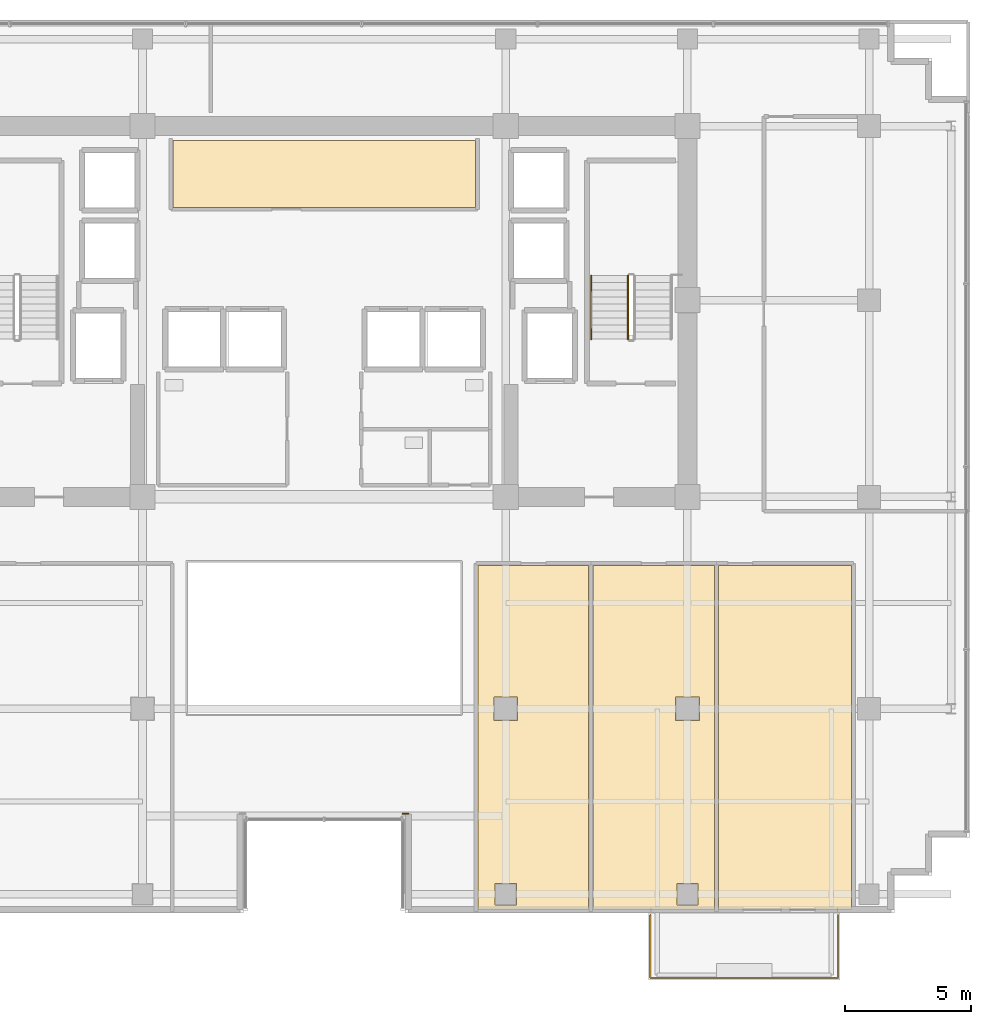
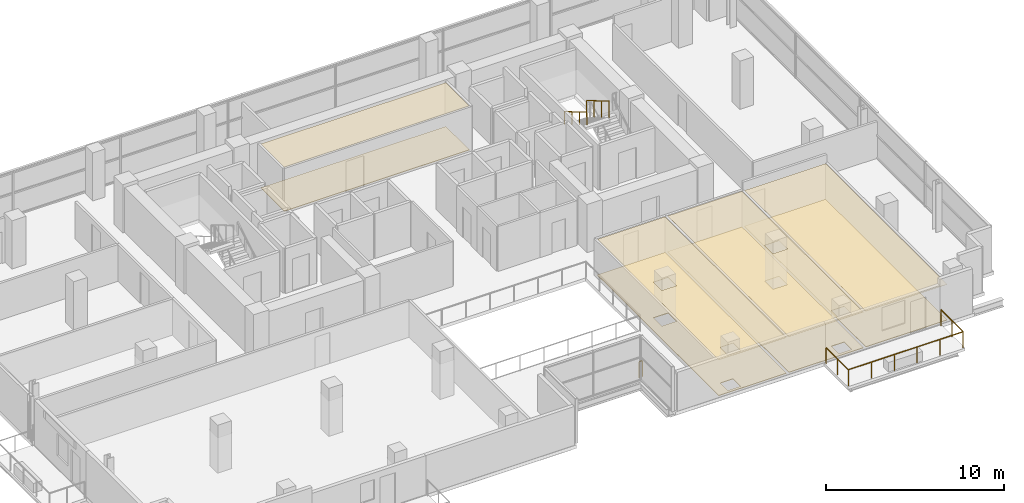
# One storey, part 26 of 28: 8 coverings, 4 railings.
"""IFC4 building model written with IfcOpenShell, lengths in metres."""

import ifcopenshell
import ifcopenshell.guid

model = None  # the IFC model being written
_history = None  # IfcOwnerHistory: only IFC2X3 demands one
_inside = {}  # id of a spatial element -> (the spatial element, [elements in it])
_under = {}  # id of a project, library or spatial element -> (it, [spatial elements below it])
_declared = {}  # id of a project -> (the project, [libraries it declares])
_typed = {}  # id of a type object -> (the type object, [elements of that type])
_made_of = {}  # id of a material, layer set ... -> (it, [elements and type objects made of it])


def new_model(schema):
    """Start an empty IFC model of exactly this schema.

    Asked for "IFC4X3", IfcOpenShell would pick the latest addendum, in which some entities
    have other attributes; the version numbers below select the first issue.
    IFC2X3 requires an IfcOwnerHistory on every rooted entity: one is made here for all.
    """
    global model, _history
    if schema == "IFC4X3":
        model = ifcopenshell.file(schema_version=(4, 3, 0, 0))
    else:
        model = ifcopenshell.file(schema=schema)
    _inside.clear()
    _under.clear()
    _declared.clear()
    _typed.clear()
    _made_of.clear()
    _history = None
    if model.schema == "IFC2X3":
        org = make("IfcOrganization", Name="unknown")
        user = make(
            "IfcPersonAndOrganization",
            ThePerson=make("IfcPerson", FamilyName="unknown"),
            TheOrganization=org,
        )
        app = make(
            "IfcApplication",
            ApplicationDeveloper=org,
            Version="unknown",
            ApplicationFullName="unknown",
            ApplicationIdentifier="unknown",
        )
        _history = make(
            "IfcOwnerHistory",
            OwningUser=user,
            OwningApplication=app,
            ChangeAction="ADDED",
            CreationDate=0,
        )
    return model


def make(cls, **values):
    """One entity of the class cls with the attributes given. An attribute that is None is left unset."""
    return model.create_entity(
        cls, **{name: value for name, value in values.items() if value is not None}
    )


def rooted(cls, **values):
    """An entity with a GlobalId (a new one), such as an element, a storey or a relation."""
    return make(cls, GlobalId=ifcopenshell.guid.new(), OwnerHistory=_history, **values)


def si_unit(unit_type, name, prefix=None):
    """IfcSIUnit, for example si_unit("LENGTHUNIT", "METRE", prefix="MILLI")."""
    return make("IfcSIUnit", UnitType=unit_type, Prefix=prefix, Name=name)


def assignment(units):
    """IfcUnitAssignment: the units of a project."""
    return None if units is None else make("IfcUnitAssignment", Units=units)


def point(xyz):
    """IfcCartesianPoint."""
    return None if xyz is None else make("IfcCartesianPoint", Coordinates=xyz)


def direction(xyz):
    """IfcDirection."""
    return None if xyz is None else make("IfcDirection", DirectionRatios=xyz)


def frame(location, z_axis=None, x_axis=None):
    """IfcAxis2Placement3D, a coordinate frame: its origin and axes. An axis left out is left unset."""
    return make(
        "IfcAxis2Placement3D",
        Location=point(location),
        Axis=direction(z_axis),
        RefDirection=direction(x_axis),
    )


def frame_2d(location, x_axis=None):
    """IfcAxis2Placement2D, a coordinate frame in the plane: its origin and x axis."""
    return make(
        "IfcAxis2Placement2D", Location=point(location), RefDirection=direction(x_axis)
    )


def origin():
    """The frame at (0, 0, 0) with its axes left unset."""
    return frame((0.0, 0.0, 0.0))


def origin_2d():
    """The frame at (0, 0) in the plane with its x axis left unset."""
    return frame_2d((0.0, 0.0))


def place(relative_to, where):
    """IfcLocalPlacement: puts the frame where relative to a parent placement (None: the world)."""
    return make(
        "IfcLocalPlacement", PlacementRelTo=relative_to, RelativePlacement=where
    )


def context(
    kind, dimensions, precision=None, world=None, true_north=None, identifier=None
):
    """IfcGeometricRepresentationContext, for example the 3D "Model" context."""
    return make(
        "IfcGeometricRepresentationContext",
        ContextIdentifier=identifier,
        ContextType=kind,
        CoordinateSpaceDimension=dimensions,
        Precision=precision,
        WorldCoordinateSystem=world,
        TrueNorth=true_north,
    )


def subcontext(parent, identifier, kind, view, scale=None):
    """IfcGeometricRepresentationSubContext, for example "Body" below "Model"."""
    return make(
        "IfcGeometricRepresentationSubContext",
        ContextIdentifier=identifier,
        ContextType=kind,
        ParentContext=parent,
        TargetScale=scale,
        TargetView=view,
    )


def project(units=None, contexts=None):
    """IfcProject with its units and contexts."""
    return rooted(
        "IfcProject",
        Name="project",
        RepresentationContexts=contexts,
        UnitsInContext=assignment(units),
    )


def spatial(cls, under=None, at=None, **own):
    """A site, building, storey or space (cls), placed at a placement, below another one or the project."""
    s = rooted(cls, ObjectPlacement=at, **own)
    if under is not None:
        _under.setdefault(under.id(), (under, []))[1].append(s)
    return s


def polyline(points):
    """IfcPolyline through the points."""
    return make("IfcPolyline", Points=[point(p) for p in points])


def profile(cls, at=None, kind="AREA", **sizes):
    """A parametric profile (cls). Its sizes go by their IFC names, for example OverallWidth=200.0."""
    return make(cls, ProfileType=kind, Position=at, **sizes)


def rectangle(**sizes):
    """IfcRectangleProfileDef."""
    return profile("IfcRectangleProfileDef", **sizes)


def outline(outer, holes=None, kind="AREA"):
    """IfcArbitraryClosedProfileDef: a profile drawn as a closed curve; with holes, ...WithVoids."""
    if holes is None:
        return make("IfcArbitraryClosedProfileDef", ProfileType=kind, OuterCurve=outer)
    return make(
        "IfcArbitraryProfileDefWithVoids",
        ProfileType=kind,
        OuterCurve=outer,
        InnerCurves=holes,
    )


def extrude(swept, where, along, depth):
    """IfcExtrudedAreaSolid: the profile swept, set in the frame where, extruded along a direction by depth."""
    return make(
        "IfcExtrudedAreaSolid",
        SweptArea=swept,
        Position=where,
        ExtrudedDirection=direction(along),
        Depth=depth,
    )


def shape(context_of_items, identifier, shape_type, items):
    """IfcShapeRepresentation: the items that make up one representation, for example the "Body"."""
    return make(
        "IfcShapeRepresentation",
        ContextOfItems=context_of_items,
        RepresentationIdentifier=identifier,
        RepresentationType=shape_type,
        Items=items,
    )


def material(Name=None, Category=None):
    """IfcMaterial."""
    return make("IfcMaterial", Name=Name, Category=Category)


def layer(
    of_material, thickness, ventilated=None, Name=None, Category=None, Priority=None
):
    """IfcMaterialLayer: one layer of a wall or slab, of a material (None: an air gap)."""
    return make(
        "IfcMaterialLayer",
        Material=of_material,
        LayerThickness=thickness,
        IsVentilated=ventilated,
        Name=Name,
        Category=Category,
        Priority=Priority,
    )


def layer_set(layers, Name=None):
    """IfcMaterialLayerSet."""
    return make("IfcMaterialLayerSet", MaterialLayers=layers, LayerSetName=Name)


def made_of(thing, what):
    """Note that an element or type object is made of a material, layer set ...; save() writes the relation."""
    if what is not None:
        _made_of.setdefault(what.id(), (what, []))[1].append(thing)
    return thing


def type_object(cls, material=None, **own):
    """A type object (cls), such as IfcWallType, which elements share."""
    return made_of(rooted(cls, **own), material)


def element(
    cls,
    number,
    at=None,
    inside=None,
    cuts=None,
    type_object=None,
    material=None,
    context=None,
    identifier="Body",
    shape_type=None,
    held_by="IfcProductDefinitionShape",
    body=None,
    shapes=None,
    **own,
):
    """One element of the class cls, such as IfcWall. Its Tag is "e" and its number.

    at: its placement. inside: the storey or other place that contains it. cuts: it is an
    opening in that element (IfcRelVoidsElement). A single representation is given by context,
    identifier, shape_type and body (its items); several are given by shapes. held_by: the class
    of the entity that holds the representations. save() writes the other relations.
    """
    e = rooted(cls, Tag="e%d" % number, ObjectPlacement=at, **own)
    if body is not None:
        shapes = [shape(context, identifier, shape_type, body)]
    if shapes is not None:
        e.Representation = make(held_by, Representations=shapes)
    if inside is not None:
        _inside.setdefault(inside.id(), (inside, []))[1].append(e)
    if cuts is not None:
        rooted(
            "IfcRelVoidsElement", RelatingBuildingElement=cuts, RelatedOpeningElement=e
        )
    if type_object is not None:
        _typed.setdefault(type_object.id(), (type_object, []))[1].append(e)
    return made_of(e, material)


def aggregate(whole, parts):
    """IfcRelAggregates: a whole, such as a stair, and the parts it consists of."""
    return rooted("IfcRelAggregates", RelatingObject=whole, RelatedObjects=parts)


def save(model, path):
    """Write the relations noted so far, then the file.

    IfcRelAggregates (storeys below a building ...), IfcRelContainedInSpatialStructure (elements
    in a storey), IfcRelDefinesByType, IfcRelAssociatesMaterial and IfcRelDeclares: one each for
    every whole, place, type object, material and project.
    """
    for whole, parts in _under.values():
        aggregate(whole, parts)
    for where, things in _inside.values():
        rooted(
            "IfcRelContainedInSpatialStructure",
            RelatedElements=things,
            RelatingStructure=where,
        )
    for kind, things in _typed.values():
        rooted("IfcRelDefinesByType", RelatedObjects=things, RelatingType=kind)
    for what, things in _made_of.values():
        rooted("IfcRelAssociatesMaterial", RelatedObjects=things, RelatingMaterial=what)
    for by, libraries in _declared.values():
        rooted("IfcRelDeclares", RelatingContext=by, RelatedDefinitions=libraries)
    model.write(path)


model = new_model("IFC4")

# Units and contexts
model_context = context("Model", 3, precision=1e-05, world=origin(), true_north=direction((0.0, 1.0)))
body_context = subcontext(model_context, "Body", "Model", "MODEL_VIEW")
ifc_project = project(units=[si_unit("LENGTHUNIT", "METRE"), si_unit("AREAUNIT", "SQUARE_METRE"), si_unit("VOLUMEUNIT", "CUBIC_METRE"), si_unit("PLANEANGLEUNIT", "RADIAN"), si_unit("MASSUNIT", "GRAM", prefix="KILO")], contexts=[model_context])

# Site, building, storey
site_placement = place(None, origin())
site = spatial("IfcSite", under=ifc_project, at=site_placement, CompositionType="ELEMENT")
building_placement = place(site_placement, origin())
building = spatial("IfcBuilding", under=site, at=building_placement, Name="Zarnakvel Exchange Tower", CompositionType="ELEMENT")
storey_placement = place(building_placement, frame((0.0, 0.0, 103.300048828125)))
storey = spatial("IfcBuildingStorey", under=building, at=storey_placement, Name="L28", CompositionType="ELEMENT", Elevation=103.300048828125)

# Coverings
ifc_material_1 = material(Name="Perforated Bronze Acoustic Metal Ceiling", Category="aluminium")
ifc_layer_1 = layer(ifc_material_1, 0.02001953125)
ifc_layer_set_1 = layer_set([ifc_layer_1], Name="Perforated Bronze Acoustic Metal Ceiling")
covering_type_1 = type_object("IfcCoveringType", Name="CLG-01", PredefinedType="CEILING", material=ifc_layer_set_1)
covering_1_placement = place(storey_placement, frame((0.0, 0.0, 3.014892578125)))
element("IfcCovering", 1, at=covering_1_placement, inside=storey, type_object=covering_type_1, Name="L28 Suspended Acoustic Ceiling (Market Data Archive Suite)", PredefinedType="CEILING", context=body_context, shape_type="SweptSolid", body=[
    extrude(outline(polyline([(-6.0, 12.919921875), (6.0, 12.919921875), (6.0, 10.280029296875), (-6.0, 10.280029296875), (-6.0, 12.919921875)])), origin(), (0.0, 0.0, 1.0), 0.02001953125),
])
covering_2_placement = place(storey_placement, frame((0.0, 0.0, 2.454833984375)))
element("IfcCovering", 2, at=covering_2_placement, inside=storey, type_object=covering_type_1, Name="L28 Suspended Acoustic Ceiling (Conference Room)", PredefinedType="CEILING", context=body_context, shape_type="SweptSolid", body=[
    extrude(outline(polyline([(6.10009765625, -3.909912109375), (10.48828125, -3.909912109375), (10.48828125, -17.550048828125), (6.10009765625, -17.550048828125), (6.10009765625, -3.909912109375)]), holes=[polyline([(6.72998046875, -10.070068359375), (7.669921875, -10.070068359375), (7.669921875, -9.1298828125), (6.72998046875, -9.1298828125), (6.72998046875, -10.070068359375)]), polyline([(7.6201171875, -17.3701171875), (7.6201171875, -16.530029296875), (6.780029296875, -16.530029296875), (6.780029296875, -17.3701171875), (7.6201171875, -17.3701171875)])]), origin(), (0.0, 0.0, 1.0), 0.02001953125),
])
covering_3_placement = place(storey_placement, frame((0.0, 0.0, 2.454833984375)))
element("IfcCovering", 3, at=covering_3_placement, inside=storey, type_object=covering_type_1, Name="L28 Suspended Acoustic Ceiling (Executive Suite)", PredefinedType="CEILING", context=body_context, shape_type="SweptSolid", body=[
    extrude(outline(polyline([(10.6484375, -3.909912109375), (15.4755859375, -3.909912109375), (15.4755859375, -17.550048828125), (10.6484375, -17.550048828125), (10.6484375, -3.909912109375)]), holes=[polyline([(13.929931640625, -10.070068359375), (14.8701171875, -10.070068359375), (14.8701171875, -9.1298828125), (13.929931640625, -9.1298828125), (13.929931640625, -10.070068359375)]), polyline([(14.820068359375, -17.3701171875), (14.820068359375, -16.530029296875), (13.97998046875, -16.530029296875), (13.97998046875, -17.3701171875), (14.820068359375, -17.3701171875)])]), origin(), (0.0, 0.0, 1.0), 0.02001953125),
])
covering_4_placement = place(storey_placement, frame((0.0, 0.0, 2.454833984375)))
element("IfcCovering", 4, at=covering_4_placement, inside=storey, type_object=covering_type_1, Name="L28 Suspended Acoustic Ceiling (Staff Pantry)", PredefinedType="CEILING", context=body_context, shape_type="SweptSolid", body=[
    extrude(outline(polyline([(15.635498046875, -3.909912109375), (20.901611328125, -3.909912109375), (20.901611328125, -17.550048828125), (15.635498046875, -17.550048828125), (15.635498046875, -3.909912109375)])), origin(), (0.0, 0.0, 1.0), 0.02001953125),
])
ifc_material_2 = material(Name="Heavy-Duty Raised Access Floor Panel", Category="steel")
ifc_layer_2 = layer(ifc_material_2, 0.034912109375)
ifc_layer_set_2 = layer_set([ifc_layer_2], Name="Heavy-Duty Raised Access Floor Panel")
covering_type_2 = type_object("IfcCoveringType", Name="FLR-02", PredefinedType="FLOORING", material=ifc_layer_set_2)
covering_5_placement = place(storey_placement, origin())
element("IfcCovering", 5, at=covering_5_placement, inside=storey, type_object=covering_type_2, Name="L28 Floor Finish (Market Data Archive Suite)", PredefinedType="FLOORING", context=body_context, shape_type="SweptSolid", body=[
    extrude(outline(polyline([(-6.0, 12.919921875), (6.0, 12.919921875), (6.0, 10.280029296875), (-6.0, 10.280029296875), (-6.0, 12.919921875)])), origin(), (0.0, 0.0, 1.0), 0.034912109375),
])
covering_6_placement = place(storey_placement, origin())
element("IfcCovering", 6, at=covering_6_placement, inside=storey, type_object=covering_type_2, Name="L28 Floor Finish (Conference Room)", PredefinedType="FLOORING", context=body_context, shape_type="SweptSolid", body=[
    extrude(outline(polyline([(6.10009765625, -3.909912109375), (10.48828125, -3.909912109375), (10.48828125, -17.550048828125), (6.10009765625, -17.550048828125), (6.10009765625, -3.909912109375)]), holes=[polyline([(6.72998046875, -10.070068359375), (7.669921875, -10.070068359375), (7.669921875, -9.1298828125), (6.72998046875, -9.1298828125), (6.72998046875, -10.070068359375)]), polyline([(7.6201171875, -17.3701171875), (7.6201171875, -16.530029296875), (6.780029296875, -16.530029296875), (6.780029296875, -17.3701171875), (7.6201171875, -17.3701171875)])]), origin(), (0.0, 0.0, 1.0), 0.034912109375),
])
covering_7_placement = place(storey_placement, origin())
element("IfcCovering", 7, at=covering_7_placement, inside=storey, type_object=covering_type_2, Name="L28 Floor Finish (Executive Suite)", PredefinedType="FLOORING", context=body_context, shape_type="SweptSolid", body=[
    extrude(outline(polyline([(10.6484375, -3.909912109375), (15.4755859375, -3.909912109375), (15.4755859375, -17.550048828125), (10.6484375, -17.550048828125), (10.6484375, -3.909912109375)]), holes=[polyline([(13.929931640625, -10.070068359375), (14.8701171875, -10.070068359375), (14.8701171875, -9.1298828125), (13.929931640625, -9.1298828125), (13.929931640625, -10.070068359375)]), polyline([(14.820068359375, -17.3701171875), (14.820068359375, -16.530029296875), (13.97998046875, -16.530029296875), (13.97998046875, -17.3701171875), (14.820068359375, -17.3701171875)])]), origin(), (0.0, 0.0, 1.0), 0.034912109375),
])
covering_8_placement = place(storey_placement, origin())
element("IfcCovering", 8, at=covering_8_placement, inside=storey, type_object=covering_type_2, Name="L28 Floor Finish (Staff Pantry)", PredefinedType="FLOORING", context=body_context, shape_type="SweptSolid", body=[
    extrude(outline(polyline([(15.635498046875, -3.909912109375), (20.901611328125, -3.909912109375), (20.901611328125, -17.550048828125), (15.635498046875, -17.550048828125), (15.635498046875, -3.909912109375)])), origin(), (0.0, 0.0, 1.0), 0.034912109375),
])

# Railings
ifc_material_3 = material(Name="Architectural Bronze Anodised Aluminium", Category="aluminium")
railing_type_1 = type_object("IfcRailingType", Name="GR-02", PredefinedType="GUARDRAIL", material=ifc_material_3)
railing_1_placement = place(storey_placement, frame((12.929931640625, -17.780029296875, -0.03515625)))
element("IfcRailing", 9, at=railing_1_placement, inside=storey, type_object=railing_type_1, Name="L28 Balcony Guardrail BAL-L28-SE", PredefinedType="GUARDRAIL", context=body_context, shape_type="SweptSolid", body=[
    extrude(rectangle(XDim=0.048095703125, YDim=0.048095703125, at=origin_2d()), frame((0.0, 0.0, 1.09619140625), z_axis=(0.0, -1.0, 0.0), x_axis=(1.0, 0.0, 0.0)), (0.0, 0.0, 1.0), 2.489990234375),
    extrude(rectangle(XDim=0.048095703125, YDim=0.048095703125, at=origin_2d()), frame((0.0, -2.489990234375, 1.09619140625), z_axis=(1.0, 0.0, 0.0), x_axis=(0.0, 1.0, 0.0)), (0.0, 0.0, 1.0), 7.440185546875),
    extrude(rectangle(XDim=0.048095703125, YDim=0.048095703125, at=origin_2d()), frame((7.440185546875, -2.489990234375, 1.09619140625), z_axis=(0.0, 1.0, 0.0), x_axis=(-1.0, 0.0, 0.0)), (0.0, 0.0, 1.0), 2.489990234375),
    extrude(rectangle(XDim=0.0419921875, YDim=0.0419921875, at=origin_2d()), origin(), (0.0, 0.0, 1.0), 1.072021484375),
    extrude(rectangle(XDim=0.0419921875, YDim=0.0419921875, at=origin_2d()), frame((0.0, -1.2451171875, 0.0)), (0.0, 0.0, 1.0), 1.072021484375),
    extrude(rectangle(XDim=0.0419921875, YDim=0.0419921875, at=origin_2d()), frame((0.0, -2.489990234375, 0.0)), (0.0, 0.0, 1.0), 1.072021484375),
    extrude(rectangle(XDim=0.0419921875, YDim=0.0419921875, at=origin_2d()), frame((1.488037109375, -2.489990234375, 0.0)), (0.0, 0.0, 1.0), 1.072021484375),
    extrude(rectangle(XDim=0.0419921875, YDim=0.0419921875, at=origin_2d()), frame((2.97607421875, -2.489990234375, 0.0)), (0.0, 0.0, 1.0), 1.072021484375),
    extrude(rectangle(XDim=0.0419921875, YDim=0.0419921875, at=origin_2d()), frame((4.464111328125, -2.489990234375, 0.0)), (0.0, 0.0, 1.0), 1.072021484375),
    extrude(rectangle(XDim=0.0419921875, YDim=0.0419921875, at=origin_2d()), frame((5.9521484375, -2.489990234375, 0.0)), (0.0, 0.0, 1.0), 1.072021484375),
    extrude(rectangle(XDim=0.0419921875, YDim=0.0419921875, at=origin_2d()), frame((7.440185546875, -2.489990234375, 0.0)), (0.0, 0.0, 1.0), 1.072021484375),
    extrude(rectangle(XDim=0.0419921875, YDim=0.0419921875, at=origin_2d()), frame((7.440185546875, -1.2451171875, 0.0)), (0.0, 0.0, 1.0), 1.072021484375),
    extrude(rectangle(XDim=0.0419921875, YDim=0.0419921875, at=origin_2d()), frame((7.440185546875, 0.0, 0.0)), (0.0, 0.0, 1.0), 1.072021484375),
])
railing_2_placement = place(storey_placement, frame((3.340087890625, -13.760009765625, 0.0)))
element("IfcRailing", 10, at=railing_2_placement, inside=storey, type_object=railing_type_1, Name="L28 Corner Spandrel Balustrade #18", PredefinedType="GUARDRAIL", context=body_context, shape_type="SweptSolid", body=[
    extrude(rectangle(XDim=0.048095703125, YDim=0.048095703125, at=origin_2d()), frame((0.0, 0.0, 1.09619140625), z_axis=(-1.0, 0.0, 0.0), x_axis=(0.0, -1.0, 0.0)), (0.0, 0.0, 1.0), 0.219970703125),
    extrude(rectangle(XDim=0.0419921875, YDim=0.0419921875, at=origin_2d()), origin(), (0.0, 0.0, 1.0), 1.072021484375),
    extrude(rectangle(XDim=0.0419921875, YDim=0.0419921875, at=origin_2d()), frame((-0.219970703125, 0.0, 0.0)), (0.0, 0.0, 1.0), 1.072021484375),
])
ifc_material_4 = material(Name="Brushed Stainless Steel", Category="steel")
railing_type_2 = type_object("IfcRailingType", Name="HR-01", PredefinedType="HANDRAIL", material=ifc_material_4)
railing_3_placement = place(storey_placement, frame((10.590087890625, 7.570068359375, 1.81494140625)))
element("IfcRailing", 11, at=railing_3_placement, inside=storey, type_object=railing_type_2, Name="L28 ST-02 stair handrail 2", PredefinedType="HANDRAIL", context=body_context, shape_type="SweptSolid", body=[
    extrude(rectangle(XDim=0.048095703125, YDim=0.048095703125, at=origin_2d()), frame((0.0, 0.0, 0.8759765625), z_axis=(0.0, -0.86152411907, 0.507716645641), x_axis=(1.0, 0.0, 0.0)), (0.0, 0.0, 1.0), 2.925048828125),
    extrude(rectangle(XDim=0.0419921875, YDim=0.0419921875, at=origin_2d()), origin(), (0.0, 0.0, 1.0), 0.851806640625),
    extrude(rectangle(XDim=0.0419921875, YDim=0.0419921875, at=origin_2d()), frame((0.0, -0.840087890625, 0.4951171875)), (0.0, 0.0, 1.0), 0.851806640625),
    extrude(rectangle(XDim=0.0419921875, YDim=0.0419921875, at=origin_2d()), frame((0.0, -1.679931640625, 0.989990234375)), (0.0, 0.0, 1.0), 0.851806640625),
    extrude(rectangle(XDim=0.0419921875, YDim=0.0419921875, at=origin_2d()), frame((0.0, -2.52001953125, 1.485107421875)), (0.0, 0.0, 1.0), 0.851806640625),
])
railing_type_3 = type_object("IfcRailingType", Name="SG-01", PredefinedType="GUARDRAIL", material=ifc_material_3)
railing_4_placement = place(storey_placement, frame((12.0400390625, 7.570068359375, 1.81494140625)))
element("IfcRailing", 12, at=railing_4_placement, inside=storey, type_object=railing_type_3, Name="L28 ST-02 stair guard 3", PredefinedType="GUARDRAIL", context=body_context, shape_type="SweptSolid", body=[
    extrude(rectangle(XDim=0.048095703125, YDim=0.048095703125, at=origin_2d()), frame((0.0, 0.0, 1.1259765625), z_axis=(0.0, -0.86152411907, 0.507716645641), x_axis=(1.0, 0.0, 0.0)), (0.0, 0.0, 1.0), 2.925048828125),
    extrude(rectangle(XDim=0.0419921875, YDim=0.0419921875, at=origin_2d()), origin(), (0.0, 0.0, 1.0), 1.101806640625),
    extrude(rectangle(XDim=0.0419921875, YDim=0.0419921875, at=origin_2d()), frame((0.0, -0.840087890625, 0.4951171875)), (0.0, 0.0, 1.0), 1.101806640625),
    extrude(rectangle(XDim=0.0419921875, YDim=0.0419921875, at=origin_2d()), frame((0.0, -1.679931640625, 0.989990234375)), (0.0, 0.0, 1.0), 1.101806640625),
    extrude(rectangle(XDim=0.0419921875, YDim=0.0419921875, at=origin_2d()), frame((0.0, -2.52001953125, 1.485107421875)), (0.0, 0.0, 1.0), 1.101806640625),
])

save(model, "model.ifc")
